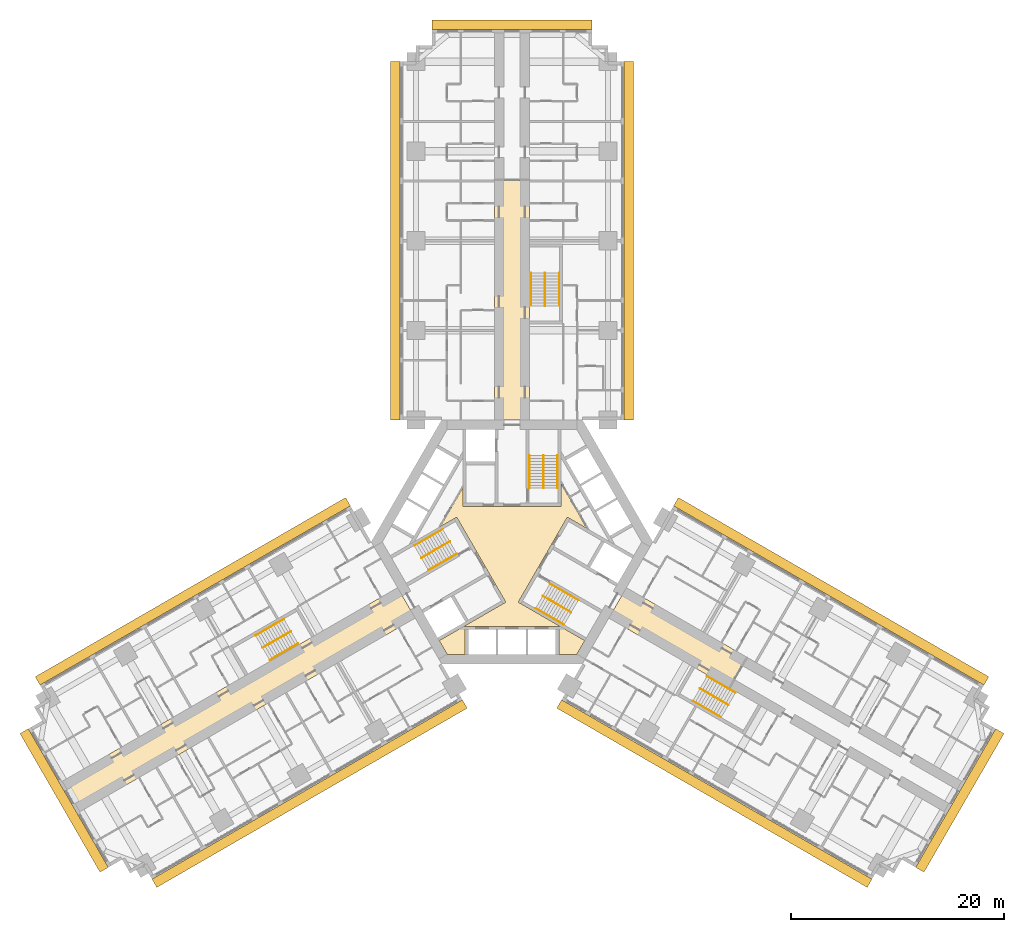
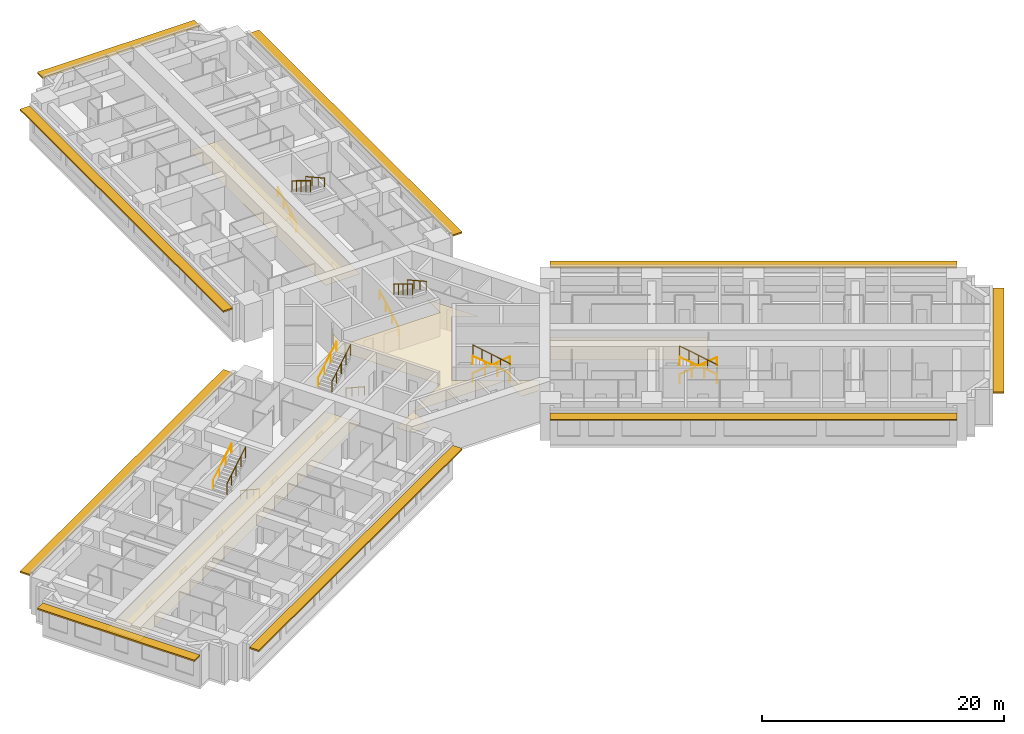
# One storey, part 16 of 16: 18 railings, 4 coverings, 3 shading devices.
"""IFC4 building model written with IfcOpenShell, lengths in metres."""

from ifc_helpers import new_model, si_unit, direction, frame, origin, origin_2d, place, context, subcontext, project, spatial, polyline, rectangle, circle, outline, extrude, material, layer, layer_set, type_object, element, save


model = new_model("IFC4")

# Units and contexts
model_context = context("Model", 3, precision=1e-05, world=origin(), true_north=direction((0.0, 1.0)))
body_context = subcontext(model_context, "Body", "Model", "MODEL_VIEW")
ifc_project = project(units=[si_unit("LENGTHUNIT", "METRE"), si_unit("AREAUNIT", "SQUARE_METRE"), si_unit("VOLUMEUNIT", "CUBIC_METRE"), si_unit("PLANEANGLEUNIT", "RADIAN"), si_unit("MASSUNIT", "GRAM", prefix="KILO")], contexts=[model_context])

# Site, building, storey
site_placement = place(None, origin())
site = spatial("IfcSite", under=ifc_project, at=site_placement, CompositionType="ELEMENT")
building_placement = place(site_placement, origin())
building = spatial("IfcBuilding", under=site, at=building_placement, Name="Impinga Residences", CompositionType="ELEMENT")
storey_placement = place(building_placement, frame((0.0, 0.0, 48.5)))
storey = spatial("IfcBuildingStorey", under=building, at=storey_placement, Name="L11", CompositionType="ELEMENT", Elevation=48.5)

# Coverings
ifc_material_1 = material(Name="Plasterboard 15 mm on steel hangers", Category="steel")
ifc_layer_1 = layer(ifc_material_1, 0.014892578125)
ifc_layer_set_1 = layer_set([ifc_layer_1], Name="Plasterboard 15 mm on steel hangers")
covering_type_1 = type_object("IfcCoveringType", Name="CL1 corridor ceiling, 15 mm plasterboard on hangers", PredefinedType="CEILING", material=ifc_layer_set_1)
covering_1_placement = place(storey_placement, frame((0.0, 0.0, 2.39990234375)))
element("IfcCovering", 1, at=covering_1_placement, inside=storey, type_object=covering_type_1, Name="Corridor ceiling CL1 L11-N00", PredefinedType="CEILING", context=body_context, shape_type="SweptSolid", body=[
    extrude(outline(polyline([(1.64990234375, 11.431640625), (-1.64990234375, 11.431640625), (-1.64990234375, 33.887939453125), (1.64990234375, 33.887939453125), (1.64990234375, 11.431640625)])), origin(), (0.0, 0.0, 1.0), 0.01513671875),
])
covering_2_placement = place(storey_placement, frame((0.0, 0.0, 2.39990234375)))
element("IfcCovering", 2, at=covering_2_placement, inside=storey, type_object=covering_type_1, Name="Corridor ceiling CL1 L11-W00", PredefinedType="CEILING", context=body_context, shape_type="SweptSolid", body=[
    extrude(outline(polyline([(-9.074951171875, -7.144775390625), (-10.72509765625, -4.286865234375), (-42.16162109375, -22.436767578125), (-40.51171875, -25.294677734375), (-9.074951171875, -7.144775390625)])), origin(), (0.0, 0.0, 1.0), 0.01513671875),
])
covering_3_placement = place(storey_placement, frame((0.0, 0.0, 2.39990234375)))
element("IfcCovering", 3, at=covering_3_placement, inside=storey, type_object=covering_type_1, Name="Corridor ceiling CL1 L11-E00", PredefinedType="CEILING", context=body_context, shape_type="SweptSolid", body=[
    extrude(outline(polyline([(9.074951171875, -7.144775390625), (10.72509765625, -4.286865234375), (21.999267578125, -10.796142578125), (20.349365234375, -13.654052734375), (9.074951171875, -7.144775390625)])), origin(), (0.0, 0.0, 1.0), 0.01513671875),
])
ifc_material_2 = material(Name="Mineral fibre tiles 20 mm on exposed grid", Category="mineral fibre")
ifc_layer_2 = layer(ifc_material_2, 0.02001953125)
ifc_layer_set_2 = layer_set([ifc_layer_2], Name="CL2 lift lobby ceiling, 20 mm mineral fibre tiles")
covering_type_2 = type_object("IfcCoveringType", Name="CL2 lift lobby ceiling, 20 mm mineral fibre tiles", PredefinedType="CEILING", material=ifc_layer_set_2)
covering_4_placement = place(storey_placement, frame((0.0, 0.0, 2.39990234375)))
element("IfcCovering", 4, at=covering_4_placement, inside=storey, type_object=covering_type_2, Name="Lift lobby ceiling CL2 L11-C01", PredefinedType="CEILING", context=body_context, shape_type="SweptSolid", body=[
    extrude(outline(polyline([(6.080322265625, -10.531494140625), (4.39990234375, -10.531494140625), (4.39990234375, -7.931640625), (-4.39990234375, -7.931640625), (-4.39990234375, -10.531494140625), (-6.080322265625, -10.531494140625), (-6.820556640625, -9.24951171875), (-0.583984375, -5.648681640625), (-5.183837890625, 2.318603515625), (-6.712890625, 1.435791015625), (-4.60009765625, 5.095703125), (-4.60009765625, 3.330078125), (4.60009765625, 3.330078125), (4.60009765625, 5.49560546875), (7.059326171875, 1.23583984375), (5.183837890625, 2.318603515625), (0.583984375, -5.648681640625), (6.820556640625, -9.24951171875), (6.080322265625, -10.531494140625)])), origin(), (0.0, 0.0, 1.0), 0.02001953125),
])

# Railings
ifc_material_3 = material(Name="Steel guard, powder coated", Category="steel")
railing_type_1 = type_object("IfcRailingType", Name="GR1 stair guard 1100", PredefinedType="GUARDRAIL", material=ifc_material_3)
railing_1_placement = place(storey_placement, frame((2.949951171875, 8.110107421875, 1.875)))
element("IfcRailing", 5, at=railing_1_placement, inside=storey, type_object=railing_type_1, Name="Stair guard GR1 ST1 L11", PredefinedType="GUARDRAIL", context=body_context, shape_type="SweptSolid", body=[
    extrude(circle(Radius=0.02392578125, at=origin_2d()), frame((0.0, 0.0, 1.076171875), z_axis=(0.0, -0.854177636135, 0.519981313056), x_axis=(1.0, 0.0, 0.0)), (0.0, 0.0, 1.0), 3.60595703125),
    extrude(circle(Radius=0.02099609375, at=origin_2d()), origin(), (0.0, 0.0, 1.0), 1.052001953125),
    extrude(circle(Radius=0.02099609375, at=origin_2d()), frame((0.0, -0.77001953125, 0.46875)), (0.0, 0.0, 1.0), 1.052001953125),
    extrude(circle(Radius=0.02099609375, at=origin_2d()), frame((0.0, -1.5400390625, 0.9375)), (0.0, 0.0, 1.0), 1.052001953125),
    extrude(circle(Radius=0.02099609375, at=origin_2d()), frame((0.0, -2.31005859375, 1.40625)), (0.0, 0.0, 1.0), 1.052001953125),
    extrude(circle(Radius=0.02099609375, at=origin_2d()), frame((0.0, -3.080078125, 1.875)), (0.0, 0.0, 1.0), 1.052001953125),
])
railing_2_placement = place(storey_placement, frame((-8.49853515625, -1.500244140625, 1.875)))
element("IfcRailing", 6, at=railing_2_placement, inside=storey, type_object=railing_type_1, Name="Stair guard GR1 ST2 L11", PredefinedType="GUARDRAIL", context=body_context, shape_type="SweptSolid", body=[
    extrude(circle(Radius=0.02392578125, at=origin_2d()), frame((0.0, 0.0, 1.076171875), z_axis=(0.739746383972, 0.427084037168, 0.519975492303), x_axis=(-0.499992328818, 0.866029832698, 0.0)), (0.0, 0.0, 1.0), 3.60595703125),
    extrude(circle(Radius=0.02099609375, at=origin_2d()), origin(), (0.0, 0.0, 1.0), 1.052001953125),
    extrude(circle(Radius=0.02099609375, at=origin_2d()), frame((0.6669921875, 0.385009765625, 0.46875)), (0.0, 0.0, 1.0), 1.052001953125),
    extrude(circle(Radius=0.02099609375, at=origin_2d()), frame((1.333740234375, 0.77001953125, 0.9375)), (0.0, 0.0, 1.0), 1.052001953125),
    extrude(circle(Radius=0.02099609375, at=origin_2d()), frame((2.00048828125, 1.155029296875, 1.40625)), (0.0, 0.0, 1.0), 1.052001953125),
    extrude(circle(Radius=0.02099609375, at=origin_2d()), frame((2.66748046875, 1.5400390625, 1.875)), (0.0, 0.0, 1.0), 1.052001953125),
])
railing_3_placement = place(storey_placement, frame((5.548583984375, -6.60986328125, 1.875)))
element("IfcRailing", 7, at=railing_3_placement, inside=storey, type_object=railing_type_1, Name="Stair guard GR1 ST3 L11", PredefinedType="GUARDRAIL", context=body_context, shape_type="SweptSolid", body=[
    extrude(circle(Radius=0.02392578125, at=origin_2d()), frame((0.0, 0.0, 1.076171875), z_axis=(-0.739746383972, 0.427084037168, 0.519975492303), x_axis=(-0.499992328818, -0.866029832698, 0.0)), (0.0, 0.0, 1.0), 3.60595703125),
    extrude(circle(Radius=0.02099609375, at=origin_2d()), origin(), (0.0, 0.0, 1.0), 1.052001953125),
    extrude(circle(Radius=0.02099609375, at=origin_2d()), frame((-0.6669921875, 0.385009765625, 0.46875)), (0.0, 0.0, 1.0), 1.052001953125),
    extrude(circle(Radius=0.02099609375, at=origin_2d()), frame((-1.333740234375, 0.77001953125, 0.9375)), (0.0, 0.0, 1.0), 1.052001953125),
    extrude(circle(Radius=0.02099609375, at=origin_2d()), frame((-2.00048828125, 1.155029296875, 1.40625)), (0.0, 0.0, 1.0), 1.052001953125),
    extrude(circle(Radius=0.02099609375, at=origin_2d()), frame((-2.66748046875, 1.5400390625, 1.875)), (0.0, 0.0, 1.0), 1.052001953125),
])
railing_4_placement = place(storey_placement, frame((3.10009765625, 25.21142578125, 1.875)))
element("IfcRailing", 8, at=railing_4_placement, inside=storey, type_object=railing_type_1, Name="Stair guard GR1 WS1 L11", PredefinedType="GUARDRAIL", context=body_context, shape_type="SweptSolid", body=[
    extrude(circle(Radius=0.02392578125, at=origin_2d()), frame((0.0, 0.0, 1.076171875), z_axis=(0.0, -0.854159328187, 0.520011386482), x_axis=(1.0, 0.0, 0.0)), (0.0, 0.0, 1.0), 3.605712890625),
    extrude(circle(Radius=0.02099609375, at=origin_2d()), origin(), (0.0, 0.0, 1.0), 1.052001953125),
    extrude(circle(Radius=0.02099609375, at=origin_2d()), frame((0.0, -0.77001953125, 0.46875)), (0.0, 0.0, 1.0), 1.052001953125),
    extrude(circle(Radius=0.02099609375, at=origin_2d()), frame((0.0, -1.5400390625, 0.9375)), (0.0, 0.0, 1.0), 1.052001953125),
    extrude(circle(Radius=0.02099609375, at=origin_2d()), frame((0.0, -2.309814453125, 1.40625)), (0.0, 0.0, 1.0), 1.052001953125),
    extrude(circle(Radius=0.02099609375, at=origin_2d()), frame((0.0, -3.079833984375, 1.875)), (0.0, 0.0, 1.0), 1.052001953125),
])
railing_5_placement = place(storey_placement, frame((-23.3837890625, -9.921142578125, 1.875)))
element("IfcRailing", 9, at=railing_5_placement, inside=storey, type_object=railing_type_1, Name="Stair guard GR1 WS2 L11", PredefinedType="GUARDRAIL", context=body_context, shape_type="SweptSolid", body=[
    extrude(circle(Radius=0.02392578125, at=origin_2d()), frame((0.0, 0.0, 1.076171875), z_axis=(0.739715726454, 0.427105428144, 0.52000153585), x_axis=(-0.500026652407, 0.866010015463, 0.0)), (0.0, 0.0, 1.0), 3.605712890625),
    extrude(circle(Radius=0.02099609375, at=origin_2d()), origin(), (0.0, 0.0, 1.0), 1.052001953125),
    extrude(circle(Radius=0.02099609375, at=origin_2d()), frame((0.666748046875, 0.385009765625, 0.46875)), (0.0, 0.0, 1.0), 1.052001953125),
    extrude(circle(Radius=0.02099609375, at=origin_2d()), frame((1.33349609375, 0.77001953125, 0.9375)), (0.0, 0.0, 1.0), 1.052001953125),
    extrude(circle(Radius=0.02099609375, at=origin_2d()), frame((2.00048828125, 1.155029296875, 1.40625)), (0.0, 0.0, 1.0), 1.052001953125),
    extrude(circle(Radius=0.02099609375, at=origin_2d()), frame((2.667236328125, 1.5400390625, 1.875)), (0.0, 0.0, 1.0), 1.052001953125),
])
railing_6_placement = place(storey_placement, frame((20.283935546875, -15.29052734375, 1.875)))
element("IfcRailing", 10, at=railing_6_placement, inside=storey, type_object=railing_type_1, Name="Stair guard GR1 WS3 L11", PredefinedType="GUARDRAIL", context=body_context, shape_type="SweptSolid", body=[
    extrude(circle(Radius=0.02392578125, at=origin_2d()), frame((0.0, 0.0, 1.076171875), z_axis=(-0.739746383972, 0.427084037168, 0.519975492303), x_axis=(-0.499992328818, -0.866029832698, 0.0)), (0.0, 0.0, 1.0), 3.60595703125),
    extrude(circle(Radius=0.02099609375, at=origin_2d()), origin(), (0.0, 0.0, 1.0), 1.052001953125),
    extrude(circle(Radius=0.02099609375, at=origin_2d()), frame((-0.6669921875, 0.385009765625, 0.46875)), (0.0, 0.0, 1.0), 1.052001953125),
    extrude(circle(Radius=0.02099609375, at=origin_2d()), frame((-1.333740234375, 0.77001953125, 0.9375)), (0.0, 0.0, 1.0), 1.052001953125),
    extrude(circle(Radius=0.02099609375, at=origin_2d()), frame((-2.00048828125, 1.155029296875, 1.40625)), (0.0, 0.0, 1.0), 1.052001953125),
    extrude(circle(Radius=0.02099609375, at=origin_2d()), frame((-2.66748046875, 1.5400390625, 1.875)), (0.0, 0.0, 1.0), 1.052001953125),
])
ifc_material_4 = material(Name="Steel handrail tube 42 mm, powder coated", Category="steel")
railing_type_2 = type_object("IfcRailingType", Name="HR1 stair handrail, 42 mm steel tube, 900 above the pitch line", PredefinedType="HANDRAIL", material=ifc_material_4)
railing_7_placement = place(storey_placement, frame((1.62109375, 5.030029296875, 0.15625)))
element("IfcRailing", 11, at=railing_7_placement, inside=storey, type_object=railing_type_2, Name="Stair handrail HR1 ST1 L11", PredefinedType="HANDRAIL", context=body_context, shape_type="SweptSolid", body=[
    extrude(circle(Radius=0.02099609375, at=origin_2d()), frame((0.0, 0.0, 0.87890625), z_axis=(0.0, 0.873241540666, 0.487287606713), x_axis=(-1.0, 0.0, 0.0)), (0.0, 0.0, 1.0), 3.527099609375),
    extrude(circle(Radius=0.012451171875, at=origin_2d()), origin(), (0.0, 0.0, 1.0), 0.85791015625),
    extrude(circle(Radius=0.012451171875, at=origin_2d()), frame((0.0, 1.026611328125, 0.572998046875)), (0.0, 0.0, 1.0), 0.85791015625),
    extrude(circle(Radius=0.012451171875, at=origin_2d()), frame((0.0, 2.053466796875, 1.145751953125)), (0.0, 0.0, 1.0), 0.85791015625),
    extrude(circle(Radius=0.012451171875, at=origin_2d()), frame((0.0, 3.080078125, 1.71875)), (0.0, 0.0, 1.0), 0.85791015625),
])
railing_8_placement = place(storey_placement, frame((4.279052734375, 8.110107421875, 2.03125)))
element("IfcRailing", 12, at=railing_8_placement, inside=storey, type_object=railing_type_2, Name="Stair handrail HR1 ST1 L11", PredefinedType="HANDRAIL", context=body_context, shape_type="SweptSolid", body=[
    extrude(circle(Radius=0.02099609375, at=origin_2d()), frame((0.0, 0.0, 0.87890625), z_axis=(0.0, -0.873241540666, 0.487287606713), x_axis=(1.0, 0.0, 0.0)), (0.0, 0.0, 1.0), 3.527099609375),
    extrude(circle(Radius=0.012451171875, at=origin_2d()), origin(), (0.0, 0.0, 1.0), 0.85791015625),
    extrude(circle(Radius=0.012451171875, at=origin_2d()), frame((0.0, -1.026611328125, 0.572998046875)), (0.0, 0.0, 1.0), 0.85791015625),
    extrude(circle(Radius=0.012451171875, at=origin_2d()), frame((0.0, -2.053466796875, 1.145751953125)), (0.0, 0.0, 1.0), 0.85791015625),
    extrude(circle(Radius=0.012451171875, at=origin_2d()), frame((0.0, -3.080078125, 1.71875)), (0.0, 0.0, 1.0), 0.85791015625),
])
railing_9_placement = place(storey_placement, frame((-5.16650390625, -1.111083984375, 0.15625)))
element("IfcRailing", 13, at=railing_9_placement, inside=storey, type_object=railing_type_2, Name="Stair handrail HR1 ST2 L11", PredefinedType="HANDRAIL", context=body_context, shape_type="SweptSolid", body=[
    extrude(circle(Radius=0.02099609375, at=origin_2d()), frame((0.0, 0.0, 0.87890625), z_axis=(-0.756255980417, -0.436615662133, 0.487281905742), x_axis=(0.499992328818, -0.866029832698, 0.0)), (0.0, 0.0, 1.0), 3.527099609375),
    extrude(circle(Radius=0.012451171875, at=origin_2d()), origin(), (0.0, 0.0, 1.0), 0.85791015625),
    extrude(circle(Radius=0.012451171875, at=origin_2d()), frame((-0.88916015625, -0.513427734375, 0.572998046875)), (0.0, 0.0, 1.0), 0.85791015625),
    extrude(circle(Radius=0.012451171875, at=origin_2d()), frame((-1.7783203125, -1.026611328125, 1.145751953125)), (0.0, 0.0, 1.0), 0.85791015625),
    extrude(circle(Radius=0.012451171875, at=origin_2d()), frame((-2.66748046875, -1.5400390625, 1.71875)), (0.0, 0.0, 1.0), 0.85791015625),
])
railing_10_placement = place(storey_placement, frame((-9.1630859375, -0.349365234375, 2.03125)))
element("IfcRailing", 14, at=railing_10_placement, inside=storey, type_object=railing_type_2, Name="Stair handrail HR1 ST2 L11", PredefinedType="HANDRAIL", context=body_context, shape_type="SweptSolid", body=[
    extrude(circle(Radius=0.02099609375, at=origin_2d()), frame((0.0, 0.0, 0.87890625), z_axis=(0.756255980417, 0.436615662133, 0.487281905742), x_axis=(-0.499992328818, 0.866029832698, 0.0)), (0.0, 0.0, 1.0), 3.527099609375),
    extrude(circle(Radius=0.012451171875, at=origin_2d()), origin(), (0.0, 0.0, 1.0), 0.85791015625),
    extrude(circle(Radius=0.012451171875, at=origin_2d()), frame((0.88916015625, 0.513427734375, 0.572998046875)), (0.0, 0.0, 1.0), 0.85791015625),
    extrude(circle(Radius=0.012451171875, at=origin_2d()), frame((1.7783203125, 1.026611328125, 1.145751953125)), (0.0, 0.0, 1.0), 0.85791015625),
    extrude(circle(Radius=0.012451171875, at=origin_2d()), frame((2.66748046875, 1.5400390625, 1.71875)), (0.0, 0.0, 1.0), 0.85791015625),
])
railing_11_placement = place(storey_placement, frame((3.545654296875, -3.9189453125, 0.15625)))
element("IfcRailing", 15, at=railing_11_placement, inside=storey, type_object=railing_type_2, Name="Stair handrail HR1 ST3 L11", PredefinedType="HANDRAIL", context=body_context, shape_type="SweptSolid", body=[
    extrude(circle(Radius=0.02099609375, at=origin_2d()), frame((0.0, 0.0, 0.87890625), z_axis=(0.756249203677, -0.436582492228, 0.487322141317), x_axis=(0.499967199496, 0.866044340336, 0.0)), (0.0, 0.0, 1.0), 3.52685546875),
    extrude(circle(Radius=0.012451171875, at=origin_2d()), origin(), (0.0, 0.0, 1.0), 0.85791015625),
    extrude(circle(Radius=0.012451171875, at=origin_2d()), frame((0.88916015625, -0.51318359375, 0.572998046875)), (0.0, 0.0, 1.0), 0.85791015625),
    extrude(circle(Radius=0.012451171875, at=origin_2d()), frame((1.778076171875, -1.026611328125, 1.145751953125)), (0.0, 0.0, 1.0), 0.85791015625),
    extrude(circle(Radius=0.012451171875, at=origin_2d()), frame((2.667236328125, -1.539794921875, 1.71875)), (0.0, 0.0, 1.0), 0.85791015625),
])
railing_12_placement = place(storey_placement, frame((4.884033203125, -7.7607421875, 2.03125)))
element("IfcRailing", 16, at=railing_12_placement, inside=storey, type_object=railing_type_2, Name="Stair handrail HR1 ST3 L11", PredefinedType="HANDRAIL", context=body_context, shape_type="SweptSolid", body=[
    extrude(circle(Radius=0.02099609375, at=origin_2d()), frame((0.0, 0.0, 0.87890625), z_axis=(-0.756255980417, 0.436615662133, 0.487281905742), x_axis=(-0.499992328818, -0.866029832698, 0.0)), (0.0, 0.0, 1.0), 3.527099609375),
    extrude(circle(Radius=0.012451171875, at=origin_2d()), origin(), (0.0, 0.0, 1.0), 0.85791015625),
    extrude(circle(Radius=0.012451171875, at=origin_2d()), frame((-0.88916015625, 0.513427734375, 0.572998046875)), (0.0, 0.0, 1.0), 0.85791015625),
    extrude(circle(Radius=0.012451171875, at=origin_2d()), frame((-1.7783203125, 1.026611328125, 1.145751953125)), (0.0, 0.0, 1.0), 0.85791015625),
    extrude(circle(Radius=0.012451171875, at=origin_2d()), frame((-2.66748046875, 1.5400390625, 1.71875)), (0.0, 0.0, 1.0), 0.85791015625),
])
railing_13_placement = place(storey_placement, frame((1.77099609375, 22.131591796875, 0.15625)))
element("IfcRailing", 17, at=railing_13_placement, inside=storey, type_object=railing_type_2, Name="Stair handrail HR1 WS1 L11", PredefinedType="HANDRAIL", context=body_context, shape_type="SweptSolid", body=[
    extrude(circle(Radius=0.02099609375, at=origin_2d()), frame((0.0, 0.0, 0.87890625), z_axis=(0.0, 0.873225103656, 0.487317061414), x_axis=(-1.0, 0.0, 0.0)), (0.0, 0.0, 1.0), 3.52685546875),
    extrude(circle(Radius=0.012451171875, at=origin_2d()), origin(), (0.0, 0.0, 1.0), 0.85791015625),
    extrude(circle(Radius=0.012451171875, at=origin_2d()), frame((0.0, 1.026611328125, 0.572998046875)), (0.0, 0.0, 1.0), 0.85791015625),
    extrude(circle(Radius=0.012451171875, at=origin_2d()), frame((0.0, 2.05322265625, 1.145751953125)), (0.0, 0.0, 1.0), 0.85791015625),
    extrude(circle(Radius=0.012451171875, at=origin_2d()), frame((0.0, 3.079833984375, 1.71875)), (0.0, 0.0, 1.0), 0.85791015625),
])
railing_14_placement = place(storey_placement, frame((4.428955078125, 25.21142578125, 2.03125)))
element("IfcRailing", 18, at=railing_14_placement, inside=storey, type_object=railing_type_2, Name="Stair handrail HR1 WS1 L11", PredefinedType="HANDRAIL", context=body_context, shape_type="SweptSolid", body=[
    extrude(circle(Radius=0.02099609375, at=origin_2d()), frame((0.0, 0.0, 0.87890625), z_axis=(0.0, -0.873225103656, 0.487317061414), x_axis=(1.0, 0.0, 0.0)), (0.0, 0.0, 1.0), 3.52685546875),
    extrude(circle(Radius=0.012451171875, at=origin_2d()), origin(), (0.0, 0.0, 1.0), 0.85791015625),
    extrude(circle(Radius=0.012451171875, at=origin_2d()), frame((0.0, -1.026611328125, 0.572998046875)), (0.0, 0.0, 1.0), 0.85791015625),
    extrude(circle(Radius=0.012451171875, at=origin_2d()), frame((0.0, -2.05322265625, 1.145751953125)), (0.0, 0.0, 1.0), 0.85791015625),
    extrude(circle(Radius=0.012451171875, at=origin_2d()), frame((0.0, -3.079833984375, 1.71875)), (0.0, 0.0, 1.0), 0.85791015625),
])
railing_15_placement = place(storey_placement, frame((-20.052001953125, -9.531982421875, 0.15625)))
element("IfcRailing", 19, at=railing_15_placement, inside=storey, type_object=railing_type_2, Name="Stair handrail HR1 WS2 L11", PredefinedType="HANDRAIL", context=body_context, shape_type="SweptSolid", body=[
    extrude(circle(Radius=0.02099609375, at=origin_2d()), frame((0.0, 0.0, 0.87890625), z_axis=(-0.756226348243, -0.436638517594, 0.487307413422), x_axis=(0.500026652407, -0.866010015463, 0.0)), (0.0, 0.0, 1.0), 3.527099609375),
    extrude(circle(Radius=0.012451171875, at=origin_2d()), origin(), (0.0, 0.0, 1.0), 0.85791015625),
    extrude(circle(Radius=0.012451171875, at=origin_2d()), frame((-0.88916015625, -0.513427734375, 0.572998046875)), (0.0, 0.0, 1.0), 0.85791015625),
    extrude(circle(Radius=0.012451171875, at=origin_2d()), frame((-1.778076171875, -1.026611328125, 1.145751953125)), (0.0, 0.0, 1.0), 0.85791015625),
    extrude(circle(Radius=0.012451171875, at=origin_2d()), frame((-2.667236328125, -1.5400390625, 1.71875)), (0.0, 0.0, 1.0), 0.85791015625),
])
railing_16_placement = place(storey_placement, frame((-24.04833984375, -8.77001953125, 2.03125)))
element("IfcRailing", 20, at=railing_16_placement, inside=storey, type_object=railing_type_2, Name="Stair handrail HR1 WS2 L11", PredefinedType="HANDRAIL", context=body_context, shape_type="SweptSolid", body=[
    extrude(circle(Radius=0.02099609375, at=origin_2d()), frame((0.0, 0.0, 0.87890625), z_axis=(0.756278834354, 0.436559638319, 0.487296631324), x_axis=(-0.499932877268, 0.866064153644, 0.0)), (0.0, 0.0, 1.0), 3.527099609375),
    extrude(circle(Radius=0.012451171875, at=origin_2d()), origin(), (0.0, 0.0, 1.0), 0.85791015625),
    extrude(circle(Radius=0.012451171875, at=origin_2d()), frame((0.88916015625, 0.51318359375, 0.572998046875)), (0.0, 0.0, 1.0), 0.85791015625),
    extrude(circle(Radius=0.012451171875, at=origin_2d()), frame((1.7783203125, 1.026611328125, 1.145751953125)), (0.0, 0.0, 1.0), 0.85791015625),
    extrude(circle(Radius=0.012451171875, at=origin_2d()), frame((2.66748046875, 1.539794921875, 1.71875)), (0.0, 0.0, 1.0), 0.85791015625),
])
railing_17_placement = place(storey_placement, frame((18.281005859375, -12.599609375, 0.15625)))
element("IfcRailing", 21, at=railing_17_placement, inside=storey, type_object=railing_type_2, Name="Stair handrail HR1 WS3 L11", PredefinedType="HANDRAIL", context=body_context, shape_type="SweptSolid", body=[
    extrude(circle(Radius=0.02099609375, at=origin_2d()), frame((0.0, 0.0, 0.87890625), z_axis=(0.756249203677, -0.436582492228, 0.487322141317), x_axis=(0.499967199496, 0.866044340336, 0.0)), (0.0, 0.0, 1.0), 3.52685546875),
    extrude(circle(Radius=0.012451171875, at=origin_2d()), origin(), (0.0, 0.0, 1.0), 0.85791015625),
    extrude(circle(Radius=0.012451171875, at=origin_2d()), frame((0.88916015625, -0.51318359375, 0.572998046875)), (0.0, 0.0, 1.0), 0.85791015625),
    extrude(circle(Radius=0.012451171875, at=origin_2d()), frame((1.778076171875, -1.026611328125, 1.145751953125)), (0.0, 0.0, 1.0), 0.85791015625),
    extrude(circle(Radius=0.012451171875, at=origin_2d()), frame((2.667236328125, -1.539794921875, 1.71875)), (0.0, 0.0, 1.0), 0.85791015625),
])
railing_18_placement = place(storey_placement, frame((19.619384765625, -16.44140625, 2.03125)))
element("IfcRailing", 22, at=railing_18_placement, inside=storey, type_object=railing_type_2, Name="Stair handrail HR1 WS3 L11", PredefinedType="HANDRAIL", context=body_context, shape_type="SweptSolid", body=[
    extrude(circle(Radius=0.02099609375, at=origin_2d()), frame((0.0, 0.0, 0.87890625), z_axis=(-0.756255980417, 0.436615662133, 0.487281905742), x_axis=(-0.499992328818, -0.866029832698, 0.0)), (0.0, 0.0, 1.0), 3.527099609375),
    extrude(circle(Radius=0.012451171875, at=origin_2d()), origin(), (0.0, 0.0, 1.0), 0.85791015625),
    extrude(circle(Radius=0.012451171875, at=origin_2d()), frame((-0.88916015625, 0.513427734375, 0.572998046875)), (0.0, 0.0, 1.0), 0.85791015625),
    extrude(circle(Radius=0.012451171875, at=origin_2d()), frame((-1.7783203125, 1.026611328125, 1.145751953125)), (0.0, 0.0, 1.0), 0.85791015625),
    extrude(circle(Radius=0.012451171875, at=origin_2d()), frame((-2.66748046875, 1.5400390625, 1.71875)), (0.0, 0.0, 1.0), 0.85791015625),
])

# Shading devices
ifc_material_5 = material(Name="Terracotta sunshade blades on aluminium brackets", Category="masonry")
ifc_layer_3 = layer(ifc_material_5, 0.14990234375)
ifc_layer_set_3 = layer_set([ifc_layer_3], Name="SS1 SUNSHADE terracotta sunshade band 900")
shading_device_type = type_object("IfcShadingDeviceType", Name="SS1 SUNSHADE terracotta sunshade band 900", PredefinedType="USERDEFINED", material=ifc_layer_set_3)
shading_device_1_placement = place(storey_placement, frame((-10.949951171875, 28.2314453125, 3.10009765625), z_axis=(0.0, 0.0, 1.0), x_axis=(0.0, 1.0, 0.0)))
element("IfcShadingDevice", 23, at=shading_device_1_placement, inside=storey, type_object=shading_device_type, Name="SUNSHADE band L11 NORTH WING", ObjectType="SUNSHADE", PredefinedType="USERDEFINED", context=body_context, shape_type="SweptSolid", body=[
    extrude(rectangle(XDim=33.60009765625, YDim=0.89990234375, at=origin_2d()), origin(), (0.0, 0.0, 1.0), 0.14990234375),
    extrude(rectangle(XDim=15.0, YDim=0.89990234375, at=origin_2d()), frame((20.25, -10.949951171875, 0.0), z_axis=(0.0, 0.0, 1.0), x_axis=(0.0, -1.0, 0.0)), (0.0, 0.0, 1.0), 0.14990234375),
    extrude(rectangle(XDim=33.60009765625, YDim=0.89990234375, at=origin_2d()), frame((0.0, -21.89990234375, 0.0), z_axis=(0.0, 0.0, 1.0), x_axis=(-1.0, 0.0, 0.0)), (0.0, 0.0, 1.0), 0.14990234375),
])
shading_device_2_placement = place(storey_placement, frame((-41.986328125, -24.24072265625, 3.10009765625), z_axis=(0.0, 0.0, 1.0), x_axis=(-0.5, 0.866025403784, 0.0)))
element("IfcShadingDevice", 24, at=shading_device_2_placement, inside=storey, type_object=shading_device_type, Name="SUNSHADE band L11 WEST WING", ObjectType="SUNSHADE", PredefinedType="USERDEFINED", context=body_context, shape_type="SweptSolid", body=[
    extrude(rectangle(XDim=15.0, YDim=0.89990234375, at=origin_2d()), origin(), (0.0, 0.0, 1.0), 0.14990234375),
    extrude(rectangle(XDim=33.60009765625, YDim=0.89990234375, at=origin_2d()), frame((10.949951171875, -20.25, 0.0), z_axis=(0.0, 0.0, 1.0), x_axis=(0.0, -1.0, 0.0)), (0.0, 0.0, 1.0), 0.14990234375),
    extrude(rectangle(XDim=33.60009765625, YDim=0.89990234375, at=origin_2d()), frame((-10.949951171875, -20.250244140625, 0.0), z_axis=(0.0, 0.0, 1.0), x_axis=(0.0, 1.0, 0.0)), (0.0, 0.0, 1.0), 0.14990234375),
])
shading_device_3_placement = place(storey_placement, frame((29.92431640625, -4.6328125, 3.10009765625), z_axis=(0.0, 0.0, 1.0), x_axis=(0.866025403784, -0.5, 0.0)))
element("IfcShadingDevice", 25, at=shading_device_3_placement, inside=storey, type_object=shading_device_type, Name="SUNSHADE band L11 EAST WING", ObjectType="SUNSHADE", PredefinedType="USERDEFINED", context=body_context, shape_type="SweptSolid", body=[
    extrude(rectangle(XDim=33.60009765625, YDim=0.89990234375, at=origin_2d()), origin(), (0.0, 0.0, 1.0), 0.14990234375),
    extrude(rectangle(XDim=15.0, YDim=0.89990234375, at=origin_2d()), frame((20.25, -10.949951171875, 0.0), z_axis=(0.0, 0.0, 1.0), x_axis=(0.0, -1.0, 0.0)), (0.0, 0.0, 1.0), 0.14990234375),
    extrude(rectangle(XDim=33.60009765625, YDim=0.89990234375, at=origin_2d()), frame((-0.000244140625, -21.89990234375, 0.0), z_axis=(0.0, 0.0, 1.0), x_axis=(-1.0, 0.0, 0.0)), (0.0, 0.0, 1.0), 0.14990234375),
])

save(model, "model.ifc")
